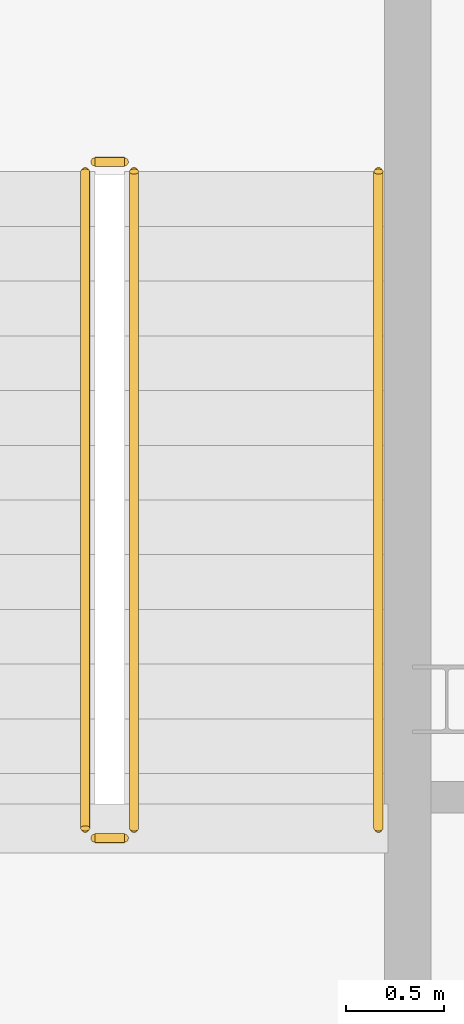
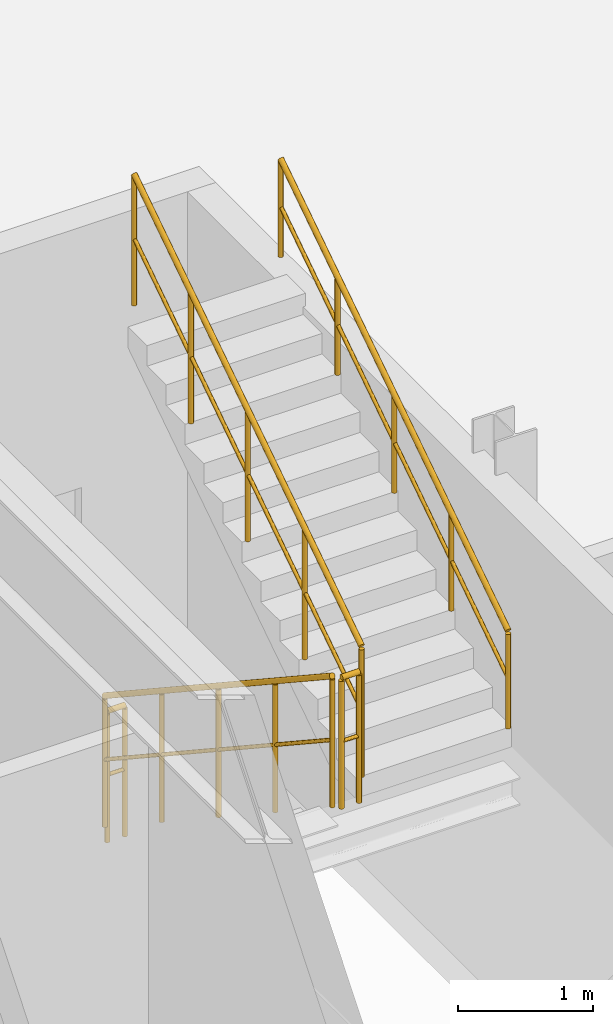
# One storey, part 22 of 23: 5 railings.
"""IFC4 building model written with IfcOpenShell, lengths in metres."""

from ifc_helpers import new_model, si_unit, direction, frame, origin, origin_2d, place, context, subcontext, project, spatial, circle, extrude, material, type_object, element, save


model = new_model("IFC4")

# Units and contexts
model_context = context("Model", 3, precision=1e-05, world=origin(), true_north=direction((0.0, 1.0)))
body_context = subcontext(model_context, "Body", "Model", "MODEL_VIEW")
ifc_project = project(units=[si_unit("LENGTHUNIT", "METRE"), si_unit("AREAUNIT", "SQUARE_METRE"), si_unit("VOLUMEUNIT", "CUBIC_METRE"), si_unit("PLANEANGLEUNIT", "RADIAN"), si_unit("MASSUNIT", "GRAM", prefix="KILO")], contexts=[model_context])

# Site, building, storey
site_placement = place(None, origin())
site = spatial("IfcSite", under=ifc_project, at=site_placement, CompositionType="ELEMENT")
building_placement = place(site_placement, origin())
building = spatial("IfcBuilding", under=site, at=building_placement, Name="Miruveldt Soraemaru", CompositionType="ELEMENT")
storey_placement = place(building_placement, frame((0.0, 0.0, 9.60009765625)))
storey = spatial("IfcBuildingStorey", under=building, at=storey_placement, Name="L03", CompositionType="ELEMENT", Elevation=9.60009765625)

# Railings
ifc_material = material(Name="Steel S355 (355 MPa)", Category="steel")
railing_type_1 = type_object("IfcRailingType", Name="RAIL-HR-900", PredefinedType="HANDRAIL", material=ifc_material)
railing_1_placement = place(storey_placement, frame((59.60009765625, 39.840087890625, 2.58447265625)))
element("IfcRailing", 1, at=railing_1_placement, inside=storey, type_object=railing_type_1, Name="L03 ST-4 stair handrail 2", PredefinedType="HANDRAIL", context=body_context, shape_type="SweptSolid", body=[
    extrude(circle(Radius=0.02392578125, at=origin_2d()), frame((0.0, 0.0, 0.8759765625), z_axis=(0.0, 0.834858096282, 0.550465220583), x_axis=(-1.0, 0.0, 0.0)), (0.0, 0.0, 1.0), 4.0244140625),
    extrude(circle(Radius=0.01611328125, at=origin_2d()), frame((0.0, 0.0, 0.449951171875), z_axis=(0.0, 0.834858096282, 0.550465220583), x_axis=(-1.0, 0.0, 0.0)), (0.0, 0.0, 1.0), 4.0244140625),
    extrude(circle(Radius=0.02099609375, at=origin_2d()), origin(), (0.0, 0.0, 1.0), 0.851806640625),
    extrude(circle(Radius=0.02099609375, at=origin_2d()), frame((0.0, 0.83984375, 0.5537109375)), (0.0, 0.0, 1.0), 0.851806640625),
    extrude(circle(Radius=0.02099609375, at=origin_2d()), frame((0.0, 1.679931640625, 1.107666015625)), (0.0, 0.0, 1.0), 0.851806640625),
    extrude(circle(Radius=0.02099609375, at=origin_2d()), frame((0.0, 2.52001953125, 1.66162109375)), (0.0, 0.0, 1.0), 0.851806640625),
    extrude(circle(Radius=0.02099609375, at=origin_2d()), frame((0.0, 3.35986328125, 2.21533203125)), (0.0, 0.0, 1.0), 0.851806640625),
])
railing_type_2 = type_object("IfcRailingType", Name="RAIL-STGUARD-1200", PredefinedType="GUARDRAIL", material=ifc_material)
railing_2_placement = place(storey_placement, frame((58.10009765625, 43.199951171875, 0.1845703125)))
element("IfcRailing", 2, at=railing_2_placement, inside=storey, type_object=railing_type_2, Name="L03 ST-4 stair guard 1", PredefinedType="GUARDRAIL", context=body_context, shape_type="SweptSolid", body=[
    extrude(circle(Radius=0.02392578125, at=origin_2d()), frame((0.0, 0.0, 1.17578125), z_axis=(0.0, -0.834858096282, 0.550465220583), x_axis=(1.0, 0.0, 0.0)), (0.0, 0.0, 1.0), 4.0244140625),
    extrude(circle(Radius=0.01611328125, at=origin_2d()), frame((0.0, 0.0, 0.60009765625), z_axis=(0.0, -0.834858096282, 0.550465220583), x_axis=(1.0, 0.0, 0.0)), (0.0, 0.0, 1.0), 4.0244140625),
    extrude(circle(Radius=0.02099609375, at=origin_2d()), origin(), (0.0, 0.0, 1.0), 1.15185546875),
    extrude(circle(Radius=0.02099609375, at=origin_2d()), frame((0.0, -0.83984375, 0.5537109375)), (0.0, 0.0, 1.0), 1.15185546875),
    extrude(circle(Radius=0.02099609375, at=origin_2d()), frame((0.0, -1.679931640625, 1.107666015625)), (0.0, 0.0, 1.0), 1.15185546875),
    extrude(circle(Radius=0.02099609375, at=origin_2d()), frame((0.0, -2.52001953125, 1.66162109375)), (0.0, 0.0, 1.0), 1.15185546875),
    extrude(circle(Radius=0.02099609375, at=origin_2d()), frame((0.0, -3.35986328125, 2.21533203125)), (0.0, 0.0, 1.0), 1.15185546875),
])
railing_3_placement = place(storey_placement, frame((58.14990234375, 39.7900390625, 2.39990234375)))
element("IfcRailing", 3, at=railing_3_placement, inside=storey, type_object=railing_type_2, Name="L03 ST-4 stair guard 2", PredefinedType="GUARDRAIL", context=body_context, shape_type="SweptSolid", body=[
    extrude(circle(Radius=0.02392578125, at=origin_2d()), frame((0.0, 0.0, 1.17578125), z_axis=(1.0, 0.0, 0.0), x_axis=(0.0, 1.0, 0.0)), (0.0, 0.0, 1.0), 0.150146484375),
    extrude(circle(Radius=0.01611328125, at=origin_2d()), frame((0.0, 0.0, 0.60009765625), z_axis=(1.0, 0.0, 0.0), x_axis=(0.0, 1.0, 0.0)), (0.0, 0.0, 1.0), 0.150146484375),
    extrude(circle(Radius=0.02099609375, at=origin_2d()), origin(), (0.0, 0.0, 1.0), 1.15185546875),
    extrude(circle(Radius=0.02099609375, at=origin_2d()), frame((0.150146484375, 0.0, 0.0)), (0.0, 0.0, 1.0), 1.15185546875),
])
railing_4_placement = place(storey_placement, frame((58.35009765625, 39.840087890625, 2.58447265625)))
element("IfcRailing", 4, at=railing_4_placement, inside=storey, type_object=railing_type_2, Name="L03 ST-4 stair guard 3", PredefinedType="GUARDRAIL", context=body_context, shape_type="SweptSolid", body=[
    extrude(circle(Radius=0.02392578125, at=origin_2d()), frame((0.0, 0.0, 1.17578125), z_axis=(0.0, 0.834858096282, 0.550465220583), x_axis=(-1.0, 0.0, 0.0)), (0.0, 0.0, 1.0), 4.0244140625),
    extrude(circle(Radius=0.01611328125, at=origin_2d()), frame((0.0, 0.0, 0.60009765625), z_axis=(0.0, 0.834858096282, 0.550465220583), x_axis=(-1.0, 0.0, 0.0)), (0.0, 0.0, 1.0), 4.0244140625),
    extrude(circle(Radius=0.02099609375, at=origin_2d()), origin(), (0.0, 0.0, 1.0), 1.15185546875),
    extrude(circle(Radius=0.02099609375, at=origin_2d()), frame((0.0, 0.83984375, 0.5537109375)), (0.0, 0.0, 1.0), 1.15185546875),
    extrude(circle(Radius=0.02099609375, at=origin_2d()), frame((0.0, 1.679931640625, 1.107666015625)), (0.0, 0.0, 1.0), 1.15185546875),
    extrude(circle(Radius=0.02099609375, at=origin_2d()), frame((0.0, 2.52001953125, 1.66162109375)), (0.0, 0.0, 1.0), 1.15185546875),
    extrude(circle(Radius=0.02099609375, at=origin_2d()), frame((0.0, 3.35986328125, 2.21533203125)), (0.0, 0.0, 1.0), 1.15185546875),
])
railing_5_placement = place(storey_placement, frame((58.14990234375, 43.25, 0.0)))
element("IfcRailing", 5, at=railing_5_placement, inside=storey, type_object=railing_type_2, Name="L03 ST-4 stair guard 4", PredefinedType="GUARDRAIL", context=body_context, shape_type="SweptSolid", body=[
    extrude(circle(Radius=0.02392578125, at=origin_2d()), frame((0.0, 0.0, 1.17578125), z_axis=(1.0, 0.0, 0.0), x_axis=(0.0, 1.0, 0.0)), (0.0, 0.0, 1.0), 0.150146484375),
    extrude(circle(Radius=0.01611328125, at=origin_2d()), frame((0.0, 0.0, 0.60009765625), z_axis=(1.0, 0.0, 0.0), x_axis=(0.0, 1.0, 0.0)), (0.0, 0.0, 1.0), 0.150146484375),
    extrude(circle(Radius=0.02099609375, at=origin_2d()), origin(), (0.0, 0.0, 1.0), 1.15185546875),
    extrude(circle(Radius=0.02099609375, at=origin_2d()), frame((0.150146484375, 0.0, 0.0)), (0.0, 0.0, 1.0), 1.15185546875),
])

save(model, "model.ifc")
